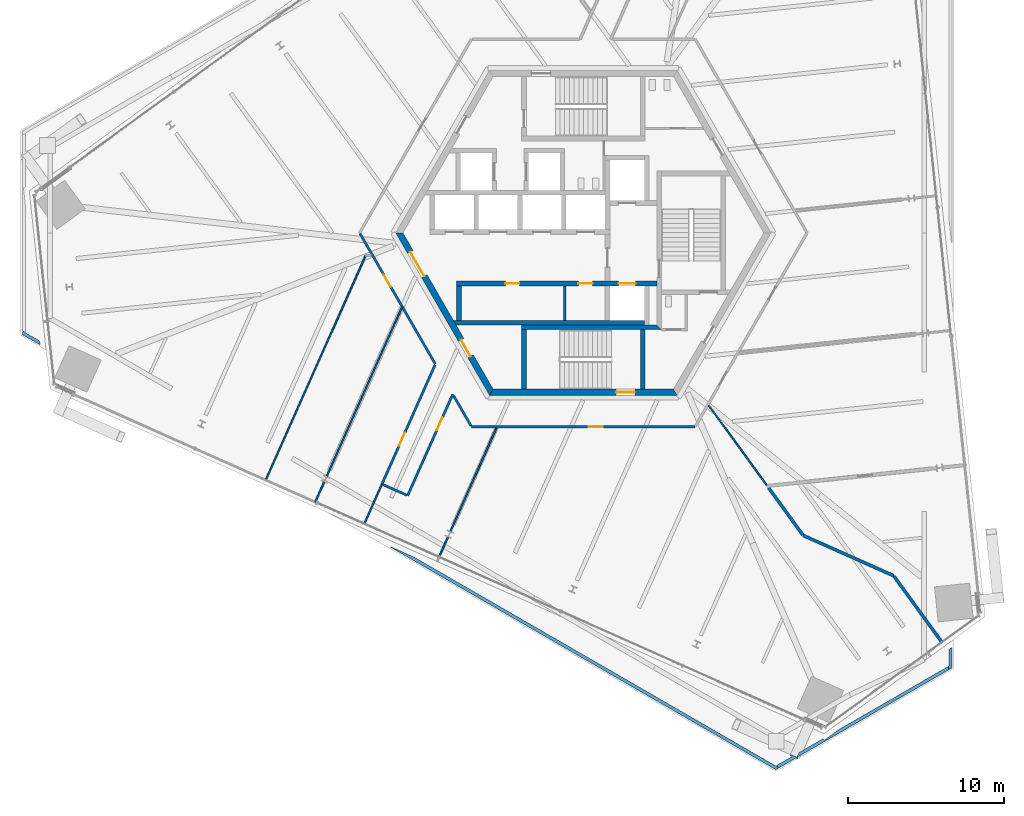
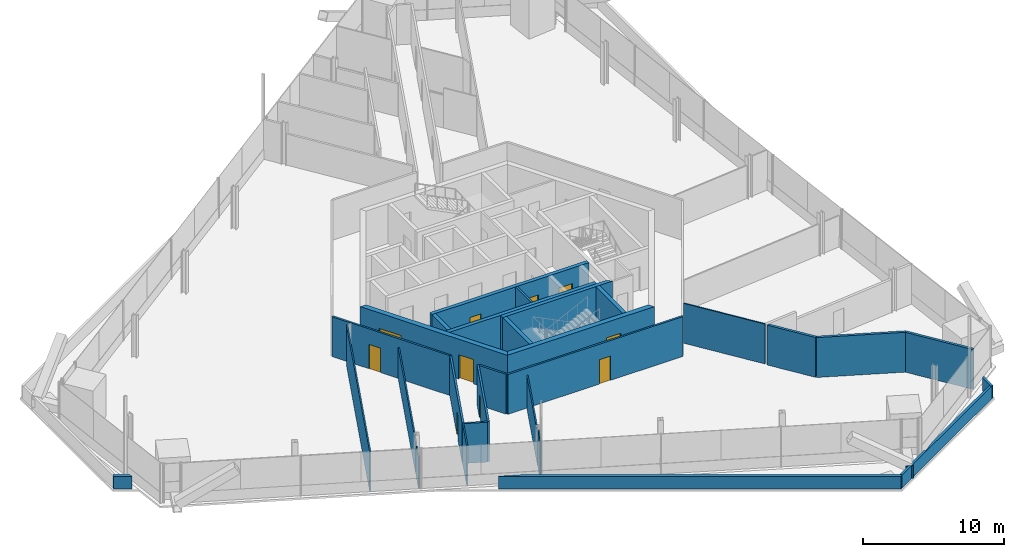
# One storey, part 15 of 24: 30 walls, 10 doors, 10 openings.
"""IFC4 building model written with IfcOpenShell, lengths in metres."""

from ifc_helpers import new_model, si_unit, direction, frame, frame_2d, origin, place, context, subcontext, project, spatial, polyline, rectangle, outline, extrude, source, transform, mapped, material, layer, layer_set, type_object, element, fill, save


model = new_model("IFC4")

# Units and contexts
model_context = context("Model", 3, precision=1e-05, world=origin(), true_north=direction((0.0, 1.0)))
body_context = subcontext(model_context, "Body", "Model", "MODEL_VIEW")
ifc_project = project(units=[si_unit("LENGTHUNIT", "METRE"), si_unit("AREAUNIT", "SQUARE_METRE"), si_unit("VOLUMEUNIT", "CUBIC_METRE"), si_unit("PLANEANGLEUNIT", "RADIAN"), si_unit("MASSUNIT", "GRAM", prefix="KILO")], contexts=[model_context])

# Site, building, storey
site_placement = place(None, origin())
site = spatial("IfcSite", under=ifc_project, at=site_placement, CompositionType="ELEMENT")
building_placement = place(site_placement, origin())
building = spatial("IfcBuilding", under=site, at=building_placement, Name="Triune Harvest Tower", CompositionType="ELEMENT")
storey_placement = place(building_placement, frame((0.0, 0.0, 58.5)))
storey = spatial("IfcBuildingStorey", under=building, at=storey_placement, Name="L13", CompositionType="ELEMENT", Elevation=58.5)

# Wall
ifc_material_1 = material(Name="Gypsum board on steel studs", Category="steel")
ifc_layer_1 = layer(ifc_material_1, 0.14990234375)
ifc_layer_set_1 = layer_set([ifc_layer_1], Name="Gypsum board on steel studs")
wall_type_1 = type_object("IfcWallType", Name="Fire Partition 150 mm", PredefinedType="PARTITIONING", material=ifc_layer_set_1)
wall_1_placement = place(storey_placement, frame((-12.8251953125, -16.09228515625, 0.0), z_axis=(0.0, 0.0, 1.0), x_axis=(0.913529662883, -0.406772116833, 0.0)))
element("IfcWall", 1, at=wall_1_placement, inside=storey, type_object=wall_type_1, Name="Partition L13 017", PredefinedType="PARTITIONING", context=body_context, shape_type="SweptSolid", body=[
    extrude(rectangle(XDim=1.679931640625, YDim=0.14990234375, at=frame_2d((0.83984375, 0.0))), origin(), (0.0, 0.0, 1.0), 3.43994140625),
])

# Wall, opening, door
wall_2_placement = place(storey_placement, frame((-11.23583984375, -16.800048828125, 0.0), z_axis=(0.0, 0.0, 1.0), x_axis=(0.406726033897, 0.913550181079, 0.0)))
wall_2 = element("IfcWall", 2, at=wall_2_placement, inside=storey, type_object=wall_type_1, Name="Partition L13 037", PredefinedType="PARTITIONING", context=body_context, shape_type="SweptSolid", body=[
    extrude(rectangle(XDim=7.092529296875, YDim=0.14990234375, at=frame_2d((3.54638671875, 0.0))), origin(), (0.0, 0.0, 1.0), 3.43994140625),
])
opening_1_placement = place(wall_2_placement, frame((4.576171875, 0.0, 0.0)))
opening_1 = element("IfcOpeningElement", 3, at=opening_1_placement, cuts=wall_2, Name="Opening L13-017", PredefinedType="OPENING", context=body_context, shape_type="SweptSolid", body=[
    extrude(rectangle(XDim=0.89990234375, YDim=2.10009765625, at=frame_2d((0.449951171875, 1.050048828125))), frame((0.0, 0.0849609375, 0.0), z_axis=(0.0, -1.0, 0.0), x_axis=(1.0, 0.0, 0.0)), (0.0, 0.0, 1.0), 0.169921875),
])
ifc_material_2 = material(Name="Timber and steel door set", Category="steel")
door_type_1 = type_object("IfcDoorType", Name="Single leaf door FD30 left hand 900 x 2100", OperationType="SINGLE_SWING_LEFT", PredefinedType="DOOR", material=ifc_material_2)
door_1_placement = place(opening_1_placement, origin())
door_1 = element("IfcDoor", 4, at=door_1_placement, inside=storey, type_object=door_type_1, Name="Door L13-017 Meeting Room 13.17", OperationType="SINGLE_SWING_LEFT", OverallHeight=2.10009765625, OverallWidth=0.89990234375, PredefinedType="DOOR", context=body_context, shape_type="SweptSolid", body=[
    extrude(rectangle(XDim=0.89990234375, YDim=2.10009765625, at=frame_2d((0.449951171875, 1.050048828125))), frame((0.0, 0.02490234375, 0.0), z_axis=(0.0, -1.0, 0.0), x_axis=(1.0, 0.0, 0.0)), (0.0, 0.0, 1.0), 0.050048828125),
])
fill(opening_1, door_1)

# Walls
ifc_material_3 = material(Name="Gypsum board on steel studs", Category="steel")
ifc_layer_2 = layer(ifc_material_3, 0.199951171875)
ifc_layer_set_2 = layer_set([ifc_layer_2], Name="Gypsum board on steel studs")
wall_type_2 = type_object("IfcWallType", Name="Fire Wall 200 mm", PredefinedType="PARTITIONING", material=ifc_layer_set_2)
wall_3_placement = place(storey_placement, frame((19.85693359375, -21.947998046875, 0.0), z_axis=(0.0, 0.0, 1.0), x_axis=(0.587813494924, -0.808996474149, 0.0)))
element("IfcWall", 5, at=wall_3_placement, inside=storey, type_object=wall_type_2, Name="Partition L13 007", PredefinedType="PARTITIONING", context=body_context, shape_type="SweptSolid", body=[
    extrude(rectangle(XDim=5.228759765625, YDim=0.199951171875, at=frame_2d((2.6142578125, 0.0))), origin(), (0.0, 0.0, 1.0), 3.43994140625),
])
wall_4_placement = place(storey_placement, frame((14.05859375, -19.349853515625, 0.0), z_axis=(0.0, 0.0, 1.0), x_axis=(0.913547246927, -0.406732624255, 0.0)))
element("IfcWall", 6, at=wall_4_placement, inside=storey, type_object=wall_type_2, Name="Partition L13 018", PredefinedType="PARTITIONING", context=body_context, shape_type="SweptSolid", body=[
    extrude(rectangle(XDim=6.327880859375, YDim=0.199951171875, at=frame_2d((3.1640625, 0.0))), origin(), (0.0, 0.0, 1.0), 3.43994140625),
])
ifc_material_4 = material(Name="Concrete 40 MPa", Category="concrete")
ifc_layer_3 = layer(ifc_material_4, 0.199951171875)
ifc_layer_set_3 = layer_set([ifc_layer_3], Name="Concrete 40 MPa")
wall_type_3 = type_object("IfcWallType", Name="PA-1 parapet 200", PredefinedType="PARAPET", material=ifc_layer_set_3)
wall_5_placement = place(storey_placement, origin())
element("IfcWall", 7, at=wall_5_placement, inside=storey, type_object=wall_type_3, Name="Parapet wedge L12 2.1", PredefinedType="PARAPET", context=body_context, shape_type="SweptSolid", body=[
    extrude(outline(polyline([(-35.680419921875, -6.36376953125), (-35.680419921875, -6.386962890625), (-34.77490234375, -6.909912109375), (-34.7490234375, -7.155517578125), (-35.880615234375, -6.502197265625), (-35.880615234375, -6.386962890625), (-35.820556640625, -6.282958984375), (-35.680419921875, -6.36376953125)])), origin(), (0.0, 0.0, 1.0), 1.10009765625),
])
wall_6_placement = place(storey_placement, origin())
element("IfcWall", 8, at=wall_6_placement, inside=storey, type_object=wall_type_3, Name="Parapet wedge L12 3.1", PredefinedType="PARAPET", context=body_context, shape_type="SweptSolid", body=[
    extrude(outline(polyline([(23.351318359375, -27.71826171875), (23.371337890625, -27.706787109375), (23.371337890625, -26.6611328125), (23.5712890625, -26.515869140625), (23.5712890625, -27.822021484375), (23.471435546875, -27.8798828125), (23.351318359375, -27.8798828125), (23.351318359375, -27.71826171875)])), origin(), (0.0, 0.0, 1.0), 1.10009765625),
])
wall_7_placement = place(storey_placement, origin())
element("IfcWall", 9, at=wall_7_placement, inside=storey, type_object=wall_type_3, Name="Parapet wedge L12 3.2", PredefinedType="PARAPET", context=body_context, shape_type="SweptSolid", body=[
    extrude(outline(polyline([(-12.323486328125, -20.102783203125), (-12.31005859375, -20.07666015625), (-10.820068359375, -20.739990234375), (12.30908203125, -34.093505859375), (12.3291015625, -34.08203125), (12.468994140625, -34.162841796875), (12.4091796875, -34.2666015625), (12.30908203125, -34.324462890625), (-12.323486328125, -20.102783203125)])), origin(), (0.0, 0.0, 1.0), 1.10009765625),
])
wall_8_placement = place(storey_placement, origin())
element("IfcWall", 10, at=wall_8_placement, inside=storey, type_object=wall_type_3, Name="Parapet wedge L12 3.3", PredefinedType="PARAPET", context=body_context, shape_type="SweptSolid", body=[
    extrude(outline(polyline([(12.4091796875, -34.2666015625), (12.468994140625, -34.162841796875), (12.3291015625, -34.08203125), (13.359130859375, -33.4873046875), (13.210205078125, -33.4208984375), (13.242919921875, -33.347412109375), (13.7841796875, -33.58837890625), (13.697998046875, -33.637939453125), (13.585205078125, -33.587890625), (12.4091796875, -34.2666015625)])), origin(), (0.0, 0.0, 1.0), 1.10009765625),
])
wall_9_placement = place(storey_placement, origin())
element("IfcWall", 11, at=wall_9_placement, inside=storey, type_object=wall_type_3, Name="Parapet wedge L12 3.4", PredefinedType="PARAPET", context=body_context, shape_type="SweptSolid", body=[
    extrude(outline(polyline([(15.29736328125, -32.3681640625), (15.43310546875, -32.4287109375), (16.36328125, -31.752685546875), (23.351318359375, -27.71826171875), (23.351318359375, -27.8798828125), (23.471435546875, -27.8798828125), (13.657958984375, -33.545654296875), (13.79638671875, -33.23486328125), (15.29736328125, -32.3681640625)])), origin(), (0.0, 0.0, 1.0), 1.10009765625),
])
ifc_material_5 = material(Name="Gypsum board on steel studs", Category="steel")
ifc_layer_4 = layer(ifc_material_5, 0.10009765625)
ifc_layer_set_4 = layer_set([ifc_layer_4], Name="Gypsum board on steel studs")
wall_type_4 = type_object("IfcWallType", Name="Partition 100 mm", PredefinedType="PARTITIONING", material=ifc_layer_set_4)
wall_10_placement = place(storey_placement, frame((-20.310791015625, -15.802978515625, 0.0), z_axis=(0.0, 0.0, 1.0), x_axis=(0.406735843421, 0.913545813671, 0.0)))
element("IfcWall", 12, at=wall_10_placement, inside=storey, type_object=wall_type_4, Name="Partition L13 047", PredefinedType="PARTITIONING", context=body_context, shape_type="SweptSolid", body=[
    extrude(rectangle(XDim=15.6962890625, YDim=0.10009765625, at=frame_2d((7.84814453125, 0.0))), origin(), (0.0, 0.0, 1.0), 3.43994140625),
])

# Wall, openings, doors
ifc_material_6 = material(Name="Concrete 70 MPa", Category="concrete")
ifc_layer_5 = layer(ifc_material_6, 0.39990234375)
ifc_layer_set_5 = layer_set([ifc_layer_5], Name="Concrete 70 MPa")
wall_type_5 = type_object("IfcWallType", Name="Core wall 400", PredefinedType="SHEAR", material=ifc_layer_set_5)
shared_shape_1 = source(origin(), body_context, "Body", "SweptSolid", [
    extrude(outline(polyline([(-0.115478515625, -0.199951171875), (11.884521484375, -0.199951171875), (11.653564453125, 0.199951171875), (0.115478515625, 0.199951171875), (-0.115478515625, -0.199951171875)])), origin(), (0.0, 0.0, 1.0), 3.43994140625),
])
wall_11_placement = place(storey_placement, frame((-11.76904296875, 0.0, 0.0), z_axis=(0.0, 0.0, 1.0), x_axis=(0.499996592174, -0.866027371285, 0.0)))
wall_11 = element("IfcWall", 13, at=wall_11_placement, inside=storey, type_object=wall_type_5, Name="Hexagon 3 wall", PredefinedType="SHEAR", context=body_context, shape_type="MappedRepresentation", body=[
    mapped(shared_shape_1, transform((0.0, 0.0, 0.0), scale=1.0)),
])
opening_2_placement = place(wall_11_placement, frame((1.404541015625, 0.0, 0.0)))
opening_2 = element("IfcOpeningElement", 14, at=opening_2_placement, cuts=wall_11, Name="Opening CD-LS", PredefinedType="OPENING", context=body_context, shape_type="SweptSolid", body=[
    extrude(rectangle(XDim=1.800048828125, YDim=2.10009765625, at=frame_2d((0.89990234375, 1.050048828125))), frame((0.0, 0.2099609375, 0.0), z_axis=(0.0, -1.0, 0.0), x_axis=(1.0, 0.0, 0.0)), (0.0, 0.0, 1.0), 0.419921875),
])
opening_3_placement = place(wall_11_placement, frame((7.91455078125, 0.0, 0.0)))
opening_3 = element("IfcOpeningElement", 15, at=opening_3_placement, cuts=wall_11, Name="Opening CD-SWP", PredefinedType="OPENING", context=body_context, shape_type="SweptSolid", body=[
    extrude(rectangle(XDim=1.199951171875, YDim=2.10009765625, at=frame_2d((0.60009765625, 1.050048828125))), frame((0.0, 0.2099609375, 0.0), z_axis=(0.0, -1.0, 0.0), x_axis=(1.0, 0.0, 0.0)), (0.0, 0.0, 1.0), 0.419921875),
])
ifc_material_7 = material(Name="Steel S235", Category="steel")
door_type_2 = type_object("IfcDoorType", Name="Lobby door 1800 FD120", OperationType="DOUBLE_DOOR_DOUBLE_SWING", PredefinedType="DOOR", material=ifc_material_7)
door_2_placement = place(opening_2_placement, frame((1.800048828125, 0.0, 0.0), z_axis=(0.0, 0.0, 1.0), x_axis=(-1.0, 0.0, 0.0)))
door_2 = element("IfcDoor", 16, at=door_2_placement, inside=storey, type_object=door_type_2, Name="Door CD-LS", OperationType="DOUBLE_DOOR_DOUBLE_SWING", OverallHeight=2.10009765625, OverallWidth=1.800048828125, PredefinedType="DOOR", context=body_context, shape_type="SweptSolid", body=[
    extrude(rectangle(XDim=1.800048828125, YDim=2.10009765625, at=frame_2d((0.89990234375, 1.050048828125))), frame((0.0, 0.02490234375, 0.0), z_axis=(0.0, -1.0, 0.0), x_axis=(1.0, 0.0, 0.0)), (0.0, 0.0, 1.0), 0.050048828125),
])
fill(opening_2, door_2)
ifc_material_8 = material(Name="Steel S235", Category="steel")
door_type_3 = type_object("IfcDoorType", Name="Service door 1200 FD120", OperationType="SINGLE_SWING_LEFT", PredefinedType="DOOR", material=ifc_material_8)
door_3_placement = place(opening_3_placement, frame((1.199951171875, 0.0, 0.0), z_axis=(0.0, 0.0, 1.0), x_axis=(-1.0, 0.0, 0.0)))
door_3 = element("IfcDoor", 17, at=door_3_placement, inside=storey, type_object=door_type_3, Name="Door CD-SWP", OperationType="SINGLE_SWING_RIGHT", OverallHeight=2.10009765625, OverallWidth=1.199951171875, PredefinedType="DOOR", context=body_context, shape_type="SweptSolid", body=[
    extrude(rectangle(XDim=1.199951171875, YDim=2.10009765625, at=frame_2d((0.60009765625, 1.050048828125))), frame((0.0, 0.02490234375, 0.0), z_axis=(0.0, -1.0, 0.0), x_axis=(1.0, 0.0, 0.0)), (0.0, 0.0, 1.0), 0.050048828125),
])
fill(opening_3, door_3)

# Wall, opening, door
wall_12_placement = place(storey_placement, frame((-5.884521484375, -10.1923828125, 0.0), z_axis=(0.0, 0.0, 1.0), x_axis=(1.0, 0.0, 0.0)))
wall_12 = element("IfcWall", 18, at=wall_12_placement, inside=storey, type_object=wall_type_5, Name="Hexagon 4 wall", PredefinedType="SHEAR", context=body_context, shape_type="MappedRepresentation", body=[
    mapped(shared_shape_1, transform((0.0, 0.0, 0.0), scale=1.0)),
])
opening_4_placement = place(wall_12_placement, frame((7.984619140625, 0.0, 0.0)))
opening_4 = element("IfcOpeningElement", 19, at=opening_4_placement, cuts=wall_12, Name="Opening CD-S2P", PredefinedType="OPENING", context=body_context, shape_type="SweptSolid", body=[
    extrude(rectangle(XDim=1.199951171875, YDim=2.10009765625, at=frame_2d((0.60009765625, 1.050048828125))), frame((0.0, 0.2099609375, 0.0), z_axis=(0.0, -1.0, 0.0), x_axis=(1.0, 0.0, 0.0)), (0.0, 0.0, 1.0), 0.419921875),
])
ifc_material_9 = material(Name="Steel S235", Category="steel")
door_type_4 = type_object("IfcDoorType", Name="Stair door 1200 FD120", OperationType="SINGLE_SWING_LEFT", PredefinedType="DOOR", material=ifc_material_9)
door_4_placement = place(opening_4_placement, frame((1.199951171875, 0.0, 0.0), z_axis=(0.0, 0.0, 1.0), x_axis=(-1.0, 0.0, 0.0)))
door_4 = element("IfcDoor", 20, at=door_4_placement, inside=storey, type_object=door_type_4, Name="Door CD-S2P", OperationType="SINGLE_SWING_RIGHT", OverallHeight=2.10009765625, OverallWidth=1.199951171875, PredefinedType="DOOR", context=body_context, shape_type="SweptSolid", body=[
    extrude(rectangle(XDim=1.199951171875, YDim=2.10009765625, at=frame_2d((0.60009765625, 1.050048828125))), frame((0.0, 0.02490234375, 0.0), z_axis=(0.0, -1.0, 0.0), x_axis=(1.0, 0.0, 0.0)), (0.0, 0.0, 1.0), 0.050048828125),
])
fill(opening_4, door_4)

# Wall, openings, doors
ifc_material_10 = material(Name="Concrete 70 MPa", Category="concrete")
ifc_layer_6 = layer(ifc_material_10, 0.300048828125)
ifc_layer_set_6 = layer_set([ifc_layer_6], Name="Concrete 70 MPa")
wall_type_6 = type_object("IfcWallType", Name="Core wall 300", PredefinedType="SHEAR", material=ifc_layer_set_6)
shared_shape_2 = source(origin(), body_context, "Body", "SweptSolid", [
    extrude(rectangle(XDim=12.800048828125, YDim=0.300048828125, at=frame_2d((6.39990234375, 0.0))), origin(), (0.0, 0.0, 1.0), 3.43994140625),
])
wall_13_placement = place(storey_placement, frame((-8.10009765625, -3.239990234375, 0.0), z_axis=(0.0, 0.0, 1.0), x_axis=(1.0, 0.0, 0.0)))
wall_13 = element("IfcWall", 21, at=wall_13_placement, inside=storey, type_object=wall_type_6, Name="South front wall", PredefinedType="SHEAR", context=body_context, shape_type="MappedRepresentation", body=[
    mapped(shared_shape_2, transform((0.0, 0.0, 0.0), scale=1.0)),
])
opening_5_placement = place(wall_13_placement, frame((3.112548828125, 0.0, 0.0)))
opening_5 = element("IfcOpeningElement", 22, at=opening_5_placement, cuts=wall_13, Name="Opening CD-RS1", PredefinedType="OPENING", context=body_context, shape_type="SweptSolid", body=[
    extrude(rectangle(XDim=0.89990234375, YDim=2.10009765625, at=frame_2d((0.449951171875, 1.050048828125))), frame((0.0, 0.16015625, 0.0), z_axis=(0.0, -1.0, 0.0), x_axis=(1.0, 0.0, 0.0)), (0.0, 0.0, 1.0), 0.320068359375),
])
opening_6_placement = place(wall_13_placement, frame((7.78759765625, 0.0, 0.0)))
opening_6 = element("IfcOpeningElement", 23, at=opening_6_placement, cuts=wall_13, Name="Opening CD-RS2", PredefinedType="OPENING", context=body_context, shape_type="SweptSolid", body=[
    extrude(rectangle(XDim=0.89990234375, YDim=2.10009765625, at=frame_2d((0.449951171875, 1.050048828125))), frame((0.0, 0.16015625, 0.0), z_axis=(0.0, -1.0, 0.0), x_axis=(1.0, 0.0, 0.0)), (0.0, 0.0, 1.0), 0.320068359375),
])
opening_7_placement = place(wall_13_placement, frame((10.35009765625, 0.0, 0.0)))
opening_7 = element("IfcOpeningElement", 24, at=opening_7_placement, cuts=wall_13, Name="Opening LD-FF2-13", PredefinedType="OPENING", context=body_context, shape_type="SweptSolid", body=[
    extrude(rectangle(XDim=1.10009765625, YDim=2.10009765625, at=frame_2d((0.550048828125, 1.050048828125))), frame((0.0, 0.16015625, 0.0), z_axis=(0.0, -1.0, 0.0), x_axis=(1.0, 0.0, 0.0)), (0.0, 0.0, 1.0), 0.320068359375),
])
ifc_material_11 = material(Name="Stainless steel AISI 304", Category="steel")
door_type_5 = type_object("IfcDoorType", Name="Landing door 1100 x 2100", OperationType="DOUBLE_DOOR_SLIDING", PredefinedType="DOOR", material=ifc_material_11)
door_5_placement = place(opening_7_placement, origin())
door_5 = element("IfcDoor", 25, at=door_5_placement, inside=storey, type_object=door_type_5, Name="Door LD-FF2-13", OperationType="DOUBLE_DOOR_SLIDING", OverallHeight=2.10009765625, OverallWidth=1.10009765625, PredefinedType="DOOR", context=body_context, shape_type="SweptSolid", body=[
    extrude(rectangle(XDim=1.10009765625, YDim=2.10009765625, at=frame_2d((0.550048828125, 1.050048828125))), frame((0.0, 0.02490234375, 0.0), z_axis=(0.0, -1.0, 0.0), x_axis=(1.0, 0.0, 0.0)), (0.0, 0.0, 1.0), 0.050048828125),
])
fill(opening_7, door_5)
ifc_material_12 = material(Name="Steel S235", Category="steel")
door_type_6 = type_object("IfcDoorType", Name="Riser door 900 FD120", OperationType="SINGLE_SWING_LEFT", PredefinedType="DOOR", material=ifc_material_12)
door_6_placement = place(opening_5_placement, origin())
door_6 = element("IfcDoor", 26, at=door_6_placement, inside=storey, type_object=door_type_6, Name="Door CD-RS1", OperationType="SINGLE_SWING_LEFT", OverallHeight=2.10009765625, OverallWidth=0.89990234375, PredefinedType="DOOR", context=body_context, shape_type="SweptSolid", body=[
    extrude(rectangle(XDim=0.89990234375, YDim=2.10009765625, at=frame_2d((0.449951171875, 1.050048828125))), frame((0.0, 0.02490234375, 0.0), z_axis=(0.0, -1.0, 0.0), x_axis=(1.0, 0.0, 0.0)), (0.0, 0.0, 1.0), 0.050048828125),
])
fill(opening_5, door_6)
door_7_placement = place(opening_6_placement, origin())
door_7 = element("IfcDoor", 27, at=door_7_placement, inside=storey, type_object=door_type_6, Name="Door CD-RS2", OperationType="SINGLE_SWING_LEFT", OverallHeight=2.10009765625, OverallWidth=0.89990234375, PredefinedType="DOOR", context=body_context, shape_type="SweptSolid", body=[
    extrude(rectangle(XDim=0.89990234375, YDim=2.10009765625, at=frame_2d((0.449951171875, 1.050048828125))), frame((0.0, 0.02490234375, 0.0), z_axis=(0.0, -1.0, 0.0), x_axis=(1.0, 0.0, 0.0)), (0.0, 0.0, 1.0), 0.050048828125),
])
fill(opening_6, door_7)

# Walls
shared_shape_3 = source(origin(), body_context, "Body", "SweptSolid", [
    extrude(outline(polyline([(12.0, -0.14990234375), (-0.039794921875, -0.14990234375), (-0.212890625, 0.14990234375), (12.0, 0.14990234375), (12.0, -0.14990234375)])), origin(), (0.0, 0.0, 1.0), 3.43994140625),
])
wall_14_placement = place(storey_placement, frame((-8.10009765625, -5.739990234375, 0.0), z_axis=(0.0, 0.0, 1.0), x_axis=(1.0, 0.0, 0.0)))
element("IfcWall", 28, at=wall_14_placement, inside=storey, type_object=wall_type_6, Name="South back wall", PredefinedType="SHEAR", context=body_context, shape_type="MappedRepresentation", body=[
    mapped(shared_shape_3, transform((0.0, 0.0, 0.0), scale=1.0)),
])
shared_shape_4 = source(origin(), body_context, "Body", "SweptSolid", [
    extrude(rectangle(XDim=2.2001953125, YDim=0.300048828125, at=frame_2d((1.10009765625, 0.0))), origin(), (0.0, 0.0, 1.0), 3.43994140625),
])
wall_15_placement = place(storey_placement, frame((-7.949951171875, -5.590087890625, 0.0), z_axis=(0.0, 0.0, 1.0), x_axis=(0.0, 1.0, 0.0)))
element("IfcWall", 29, at=wall_15_placement, inside=storey, type_object=wall_type_6, Name="South end west wall", PredefinedType="SHEAR", context=body_context, shape_type="MappedRepresentation", body=[
    mapped(shared_shape_4, transform((0.0, 0.0, 0.0), scale=1.0)),
])
shared_shape_5 = source(origin(), body_context, "Body", "SweptSolid", [
    extrude(outline(polyline([(0.0, -0.14990234375), (8.949951171875, -0.14990234375), (8.64990234375, 0.14990234375), (0.0, 0.14990234375), (0.0, -0.14990234375)])), origin(), (0.0, 0.0, 1.0), 3.43994140625),
])
wall_16_placement = place(storey_placement, frame((-3.949951171875, -6.0400390625, 0.0), z_axis=(0.0, 0.0, 1.0), x_axis=(1.0, 0.0, 0.0)))
element("IfcWall", 30, at=wall_16_placement, inside=storey, type_object=wall_type_6, Name="Stair s north wall", PredefinedType="SHEAR", context=body_context, shape_type="MappedRepresentation", body=[
    mapped(shared_shape_5, transform((0.0, 0.0, 0.0), scale=1.0)),
])
shared_shape_6 = source(origin(), body_context, "Body", "SweptSolid", [
    extrude(outline(polyline([(3.800048828125, -0.14990234375), (-0.00439453125, -0.14990234375), (-0.00439453125, 0.14990234375), (3.800048828125, 0.14990234375), (3.800048828125, -0.14990234375)])), origin(), (0.0, 0.0, 1.0), 3.43994140625),
])
for number, where, z_axis, x_axis, name in (
    (31, (-3.800048828125, -9.989990234375, 0.0), (0.0, 0.0, 1.0), (0.0, 1.0, 0.0), "Stair s west wall"),
    (32, (3.800048828125, -9.989990234375, 0.0), (0.0, 0.0, 1.0), (0.0, 1.0, 0.0), "Stair s east wall"),
):
    element("IfcWall", number, at=place(storey_placement, frame(where, z_axis=z_axis, x_axis=x_axis)), inside=storey, type_object=wall_type_6, Name=name, PredefinedType="SHEAR", context=body_context, shape_type="MappedRepresentation", body=[
        mapped(shared_shape_6, transform((0.0, 0.0, 0.0), scale=1.0)),
    ])
ifc_material_13 = material(Name="Concrete masonry unit", Category="masonry")
ifc_layer_7 = layer(ifc_material_13, 0.14990234375)
ifc_layer_set_7 = layer_set([ifc_layer_7], Name="Concrete masonry unit")
wall_type_7 = type_object("IfcWallType", Name="Block partition 150", PredefinedType="PARTITIONING", material=ifc_layer_set_7)
shared_shape_7 = source(origin(), body_context, "Body", "SweptSolid", [
    extrude(rectangle(XDim=2.2001953125, YDim=0.14990234375, at=frame_2d((1.10009765625, 0.0))), origin(), (0.0, 0.0, 1.0), 3.43994140625),
])
wall_17_placement = place(storey_placement, frame((-1.199951171875, -5.590087890625, 0.0), z_axis=(0.0, 0.0, 1.0), x_axis=(0.0, 1.0, 0.0)))
element("IfcWall", 33, at=wall_17_placement, inside=storey, type_object=wall_type_7, Name="Row s part 1 wall", PredefinedType="PARTITIONING", context=body_context, shape_type="MappedRepresentation", body=[
    mapped(shared_shape_7, transform((0.0, 0.0, 0.0), scale=1.0)),
])

# Wall, opening, door
shared_shape_8 = source(origin(), body_context, "Body", "SweptSolid", [
    extrude(rectangle(XDim=9.642578125, YDim=0.14990234375, at=frame_2d((4.8212890625, 0.0))), origin(), (0.0, 0.0, 1.0), 3.43994140625),
])
wall_18_placement = place(storey_placement, frame((-14.284423828125, -0.04296875, 0.0), z_axis=(0.0, 0.0, 1.0), x_axis=(0.499994949703, -0.866028319555, 0.0)))
wall_18 = element("IfcWall", 34, at=wall_18_placement, inside=storey, type_object=wall_type_1, Name="Partition L13 002", PredefinedType="PARTITIONING", context=body_context, shape_type="MappedRepresentation", body=[
    mapped(shared_shape_8, transform((0.0, 0.0, 0.0), scale=1.0)),
])
opening_8_placement = place(wall_18_placement, frame((3.03759765625, 0.0, 0.0)))
opening_8 = element("IfcOpeningElement", 35, at=opening_8_placement, cuts=wall_18, Name="Opening L13-015", PredefinedType="OPENING", context=body_context, shape_type="SweptSolid", body=[
    extrude(rectangle(XDim=0.89990234375, YDim=2.10009765625, at=frame_2d((0.449951171875, 1.050048828125))), frame((0.0, 0.0849609375, 0.0), z_axis=(0.0, -1.0, 0.0), x_axis=(1.0, 0.0, 0.0)), (0.0, 0.0, 1.0), 0.169921875),
])
ifc_material_14 = material(Name="Timber and steel door set", Category="steel")
door_type_7 = type_object("IfcDoorType", Name="Single leaf door FD30 right hand 900 x 2100", OperationType="SINGLE_SWING_RIGHT", PredefinedType="DOOR", material=ifc_material_14)
door_8_placement = place(opening_8_placement, origin())
door_8 = element("IfcDoor", 36, at=door_8_placement, inside=storey, type_object=door_type_7, Name="Door L13-015 Project Room 13.15", OperationType="SINGLE_SWING_RIGHT", OverallHeight=2.10009765625, OverallWidth=0.89990234375, PredefinedType="DOOR", context=body_context, shape_type="SweptSolid", body=[
    extrude(rectangle(XDim=0.89990234375, YDim=2.10009765625, at=frame_2d((0.449951171875, 1.050048828125))), frame((0.0, 0.02490234375, 0.0), z_axis=(0.0, -1.0, 0.0), x_axis=(1.0, 0.0, 0.0)), (0.0, 0.0, 1.0), 0.050048828125),
])
fill(opening_8, door_8)

# Walls
shared_shape_9 = source(origin(), body_context, "Body", "SweptSolid", [
    extrude(rectangle(XDim=2.222412109375, YDim=0.14990234375, at=frame_2d((1.111328125, 0.0))), origin(), (0.0, 0.0, 1.0), 3.43994140625),
])
wall_19_placement = place(storey_placement, frame((-8.290771484375, -10.424560546875, 0.0), z_axis=(0.0, 0.0, 1.0), x_axis=(0.50006161342, -0.865989828337, 0.0)))
element("IfcWall", 37, at=wall_19_placement, inside=storey, type_object=wall_type_1, Name="Partition L13 003", PredefinedType="PARTITIONING", context=body_context, shape_type="MappedRepresentation", body=[
    mapped(shared_shape_9, transform((0.0, 0.0, 0.0), scale=1.0)),
])
shared_shape_10 = source(origin(), body_context, "Body", "SweptSolid", [
    extrude(rectangle(XDim=6.3095703125, YDim=0.10009765625, at=frame_2d((3.15478515625, 0.0))), origin(), (0.0, 0.0, 1.0), 3.43994140625),
])
wall_20_placement = place(storey_placement, frame((8.020263671875, -11.0390625, 0.0), z_axis=(0.0, 0.0, 1.0), x_axis=(0.587796618886, -0.80900873594, 0.0)))
element("IfcWall", 38, at=wall_20_placement, inside=storey, type_object=wall_type_4, Name="Partition L13 005", PredefinedType="PARTITIONING", context=body_context, shape_type="MappedRepresentation", body=[
    mapped(shared_shape_10, transform((0.0, 0.0, 0.0), scale=1.0)),
])
shared_shape_11 = source(origin(), body_context, "Body", "SweptSolid", [
    extrude(rectangle(XDim=3.733154296875, YDim=0.199951171875, at=frame_2d((1.86669921875, 0.0))), origin(), (0.0, 0.0, 1.0), 3.43994140625),
])
wall_21_placement = place(storey_placement, frame((11.8466796875, -16.305419921875, 0.0), z_axis=(0.0, 0.0, 1.0), x_axis=(0.587782786269, -0.80901878604, 0.0)))
element("IfcWall", 39, at=wall_21_placement, inside=storey, type_object=wall_type_2, Name="Partition L13 006", PredefinedType="PARTITIONING", context=body_context, shape_type="MappedRepresentation", body=[
    mapped(shared_shape_11, transform((0.0, 0.0, 0.0), scale=1.0)),
])

# Wall, opening, door
shared_shape_12 = source(origin(), body_context, "Body", "SweptSolid", [
    extrude(rectangle(XDim=14.3095703125, YDim=0.14990234375, at=frame_2d((7.15478515625, 0.0))), origin(), (0.0, 0.0, 1.0), 3.43994140625),
])
wall_22_placement = place(storey_placement, frame((-7.15478515625, -12.392333984375, 0.0), z_axis=(0.0, 0.0, 1.0), x_axis=(1.0, 0.0, 0.0)))
wall_22 = element("IfcWall", 40, at=wall_22_placement, inside=storey, type_object=wall_type_1, Name="Partition L13 020", PredefinedType="PARTITIONING", context=body_context, shape_type="MappedRepresentation", body=[
    mapped(shared_shape_12, transform((0.0, 0.0, 0.0), scale=1.0)),
])
opening_9_placement = place(wall_22_placement, frame((7.4873046875, 0.0, 0.0)))
opening_9 = element("IfcOpeningElement", 41, at=opening_9_placement, cuts=wall_22, Name="Opening L13-018", PredefinedType="OPENING", context=body_context, shape_type="SweptSolid", body=[
    extrude(rectangle(XDim=0.89990234375, YDim=2.10009765625, at=frame_2d((0.449951171875, 1.050048828125))), frame((0.0, 0.0849609375, 0.0), z_axis=(0.0, -1.0, 0.0), x_axis=(1.0, 0.0, 0.0)), (0.0, 0.0, 1.0), 0.169921875),
])
door_9_placement = place(opening_9_placement, origin())
door_9 = element("IfcDoor", 42, at=door_9_placement, inside=storey, type_object=door_type_1, Name="Door L13-018 Food Laboratory 13.18", OperationType="SINGLE_SWING_LEFT", OverallHeight=2.10009765625, OverallWidth=0.89990234375, PredefinedType="DOOR", context=body_context, shape_type="SweptSolid", body=[
    extrude(rectangle(XDim=0.89990234375, YDim=2.10009765625, at=frame_2d((0.449951171875, 1.050048828125))), frame((0.0, 0.02490234375, 0.0), z_axis=(0.0, -1.0, 0.0), x_axis=(1.0, 0.0, 0.0)), (0.0, 0.0, 1.0), 0.050048828125),
])
fill(opening_9, door_9)

# Walls
shared_shape_13 = source(origin(), body_context, "Body", "SweptSolid", [
    extrude(rectangle(XDim=1.41845703125, YDim=0.10009765625, at=frame_2d((0.709228515625, 0.0))), origin(), (0.0, 0.0, 1.0), 3.43994140625),
])
wall_23_placement = place(storey_placement, frame((-9.23193359375, -20.735595703125, 0.0), z_axis=(0.0, 0.0, 1.0), x_axis=(0.406697305895, 0.913562970669, 0.0)))
element("IfcWall", 43, at=wall_23_placement, inside=storey, type_object=wall_type_4, Name="Partition L13 033", PredefinedType="PARTITIONING", context=body_context, shape_type="MappedRepresentation", body=[
    mapped(shared_shape_13, transform((0.0, 0.0, 0.0), scale=1.0)),
])
shared_shape_14 = source(origin(), body_context, "Body", "SweptSolid", [
    extrude(rectangle(XDim=7.2607421875, YDim=0.10009765625, at=frame_2d((3.63037109375, 0.0))), origin(), (0.0, 0.0, 1.0), 2.827880859375),
])
wall_24_placement = place(storey_placement, frame((-8.503173828125, -19.098388671875, 0.0), z_axis=(0.0, 0.0, 1.0), x_axis=(0.406752970656, 0.913538187961, 0.0)))
element("IfcWall", 44, at=wall_24_placement, inside=storey, type_object=wall_type_4, Name="Partition L13 034", PredefinedType="PARTITIONING", context=body_context, shape_type="MappedRepresentation", body=[
    mapped(shared_shape_14, transform((0.0, 0.0, 0.0), scale=1.0)),
])
shared_shape_15 = source(origin(), body_context, "Body", "SweptSolid", [
    extrude(rectangle(XDim=2.779296875, YDim=0.10009765625, at=frame_2d((1.3896484375, 0.0))), origin(), (0.0, 0.0, 1.0), 3.43994140625),
])
wall_25_placement = place(storey_placement, frame((-14.0107421875, -18.60791015625, 0.0), z_axis=(0.0, 0.0, 1.0), x_axis=(0.406708907734, 0.913557805708, 0.0)))
element("IfcWall", 45, at=wall_25_placement, inside=storey, type_object=wall_type_4, Name="Partition L13 039", PredefinedType="PARTITIONING", context=body_context, shape_type="MappedRepresentation", body=[
    mapped(shared_shape_15, transform((0.0, 0.0, 0.0), scale=1.0)),
])

# Wall, opening, door
shared_shape_16 = source(origin(), body_context, "Body", "SweptSolid", [
    extrude(rectangle(XDim=8.3603515625, YDim=0.14990234375, at=frame_2d((4.18017578125, 0.0))), origin(), (0.0, 0.0, 1.0), 3.43994140625),
])
wall_26_placement = place(storey_placement, frame((-12.8798828125, -16.068115234375, 0.0), z_axis=(0.0, 0.0, 1.0), x_axis=(0.406723624332, 0.913551253849, 0.0)))
wall_26 = element("IfcWall", 46, at=wall_26_placement, inside=storey, type_object=wall_type_1, Name="Partition L13 040", PredefinedType="PARTITIONING", context=body_context, shape_type="MappedRepresentation", body=[
    mapped(shared_shape_16, transform((0.0, 0.0, 0.0), scale=1.0)),
])
opening_10_placement = place(wall_26_placement, frame((2.6923828125, 0.0, 0.0)))
opening_10 = element("IfcOpeningElement", 47, at=opening_10_placement, cuts=wall_26, Name="Opening L13-016", PredefinedType="OPENING", context=body_context, shape_type="SweptSolid", body=[
    extrude(rectangle(XDim=0.89990234375, YDim=2.10009765625, at=frame_2d((0.449951171875, 1.050048828125))), frame((0.0, 0.0849609375, 0.0), z_axis=(0.0, -1.0, 0.0), x_axis=(1.0, 0.0, 0.0)), (0.0, 0.0, 1.0), 0.169921875),
])
door_10_placement = place(opening_10_placement, origin())
door_10 = element("IfcDoor", 48, at=door_10_placement, inside=storey, type_object=door_type_1, Name="Door L13-016 Office 13.16", OperationType="SINGLE_SWING_LEFT", OverallHeight=2.10009765625, OverallWidth=0.89990234375, PredefinedType="DOOR", context=body_context, shape_type="SweptSolid", body=[
    extrude(rectangle(XDim=0.89990234375, YDim=2.10009765625, at=frame_2d((0.449951171875, 1.050048828125))), frame((0.0, 0.02490234375, 0.0), z_axis=(0.0, -1.0, 0.0), x_axis=(1.0, 0.0, 0.0)), (0.0, 0.0, 1.0), 0.050048828125),
])
fill(opening_10, door_10)

# Walls
shared_shape_17 = source(origin(), body_context, "Body", "SweptSolid", [
    extrude(rectangle(XDim=1.418212890625, YDim=0.10009765625, at=frame_2d((0.708984375, 0.0))), origin(), (0.0, 0.0, 1.0), 2.68310546875),
])
wall_27_placement = place(storey_placement, frame((-17.145263671875, -17.212158203125, 0.0), z_axis=(0.0, 0.0, 1.0), x_axis=(0.40676126154, 0.913534496399, 0.0)))
element("IfcWall", 49, at=wall_27_placement, inside=storey, type_object=wall_type_4, Name="Partition L13 045", PredefinedType="PARTITIONING", context=body_context, shape_type="MappedRepresentation", body=[
    mapped(shared_shape_17, transform((0.0, 0.0, 0.0), scale=1.0)),
])
shared_shape_18 = source(origin(), body_context, "Body", "SweptSolid", [
    extrude(rectangle(XDim=11.881591796875, YDim=0.10009765625, at=frame_2d((5.94091796875, 0.0))), origin(), (0.0, 0.0, 1.0), 2.68310546875),
])
wall_28_placement = place(storey_placement, frame((-16.41650390625, -15.5751953125, 0.0), z_axis=(0.0, 0.0, 1.0), x_axis=(0.406746552883, 0.913541045448, 0.0)))
element("IfcWall", 50, at=wall_28_placement, inside=storey, type_object=wall_type_4, Name="Partition L13 046", PredefinedType="PARTITIONING", context=body_context, shape_type="MappedRepresentation", body=[
    mapped(shared_shape_18, transform((0.0, 0.0, 0.0), scale=1.0)),
])

save(model, "model.ifc")
